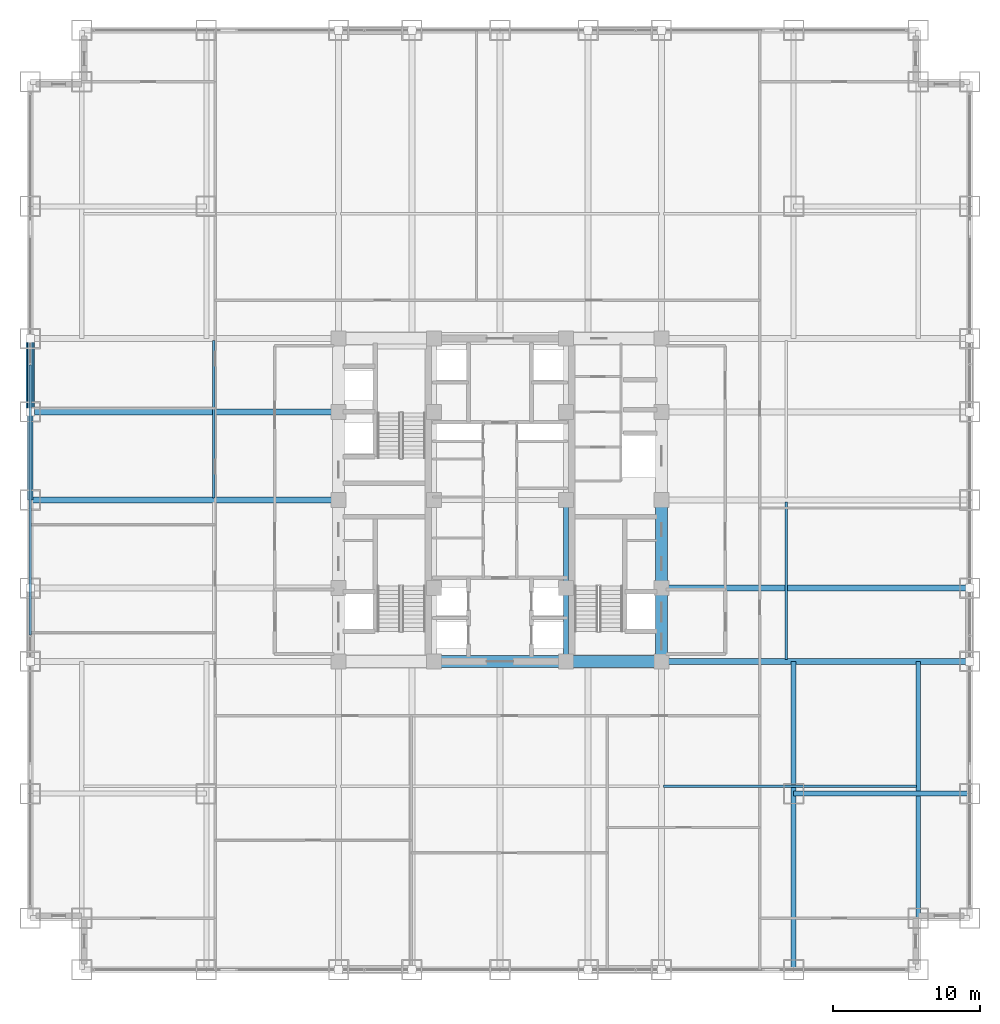
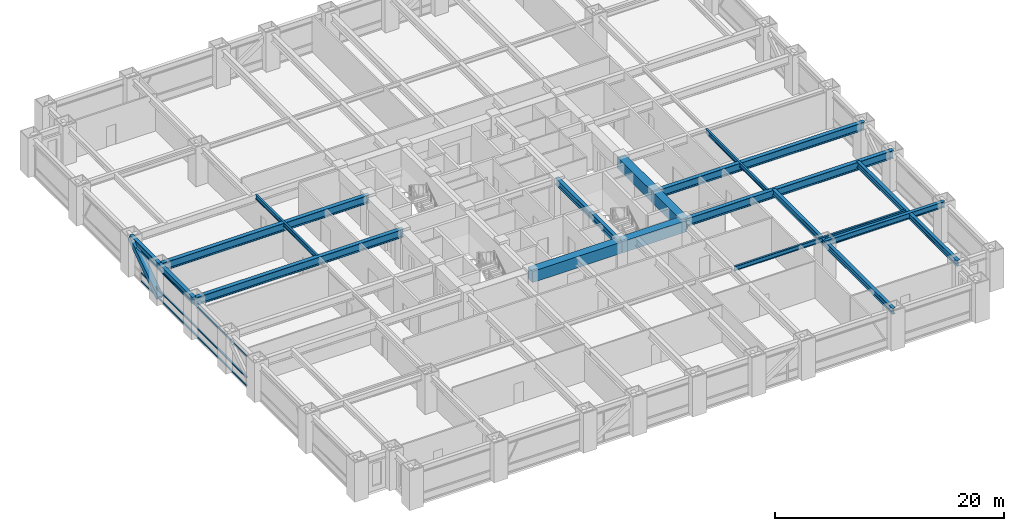
# One storey, part 11 of 28: 18 beams, 4 members, 1 element without a shape of its own.
"""IFC4 building model written with IfcOpenShell, lengths in metres."""

from ifc_helpers import new_model, si_unit, direction, frame, origin, origin_2d, place, context, subcontext, project, spatial, rectangle, hollow_rectangle, i_section, extrude, source, transform, mapped, material, material_profile, profile_set, type_object, element, aggregate, save


model = new_model("IFC4")

# Units and contexts
model_context = context("Model", 3, precision=1e-05, world=origin(), true_north=direction((0.0, 1.0)))
body_context = subcontext(model_context, "Body", "Model", "MODEL_VIEW")
ifc_project = project(units=[si_unit("LENGTHUNIT", "METRE"), si_unit("AREAUNIT", "SQUARE_METRE"), si_unit("VOLUMEUNIT", "CUBIC_METRE"), si_unit("PLANEANGLEUNIT", "RADIAN"), si_unit("MASSUNIT", "GRAM", prefix="KILO")], contexts=[model_context])

# Site, building, storey
site_placement = place(None, origin())
site = spatial("IfcSite", under=ifc_project, at=site_placement, CompositionType="ELEMENT")
building_placement = place(site_placement, origin())
building = spatial("IfcBuilding", under=site, at=building_placement, Name="Khorayat Bourse Tower", CompositionType="ELEMENT")
storey_placement = place(building_placement, frame((0.0, 0.0, 66.199951171875)))
storey = spatial("IfcBuildingStorey", under=building, at=storey_placement, Name="L14", CompositionType="ELEMENT", Elevation=66.199951171875)

# Beams
ifc_material_1 = material(Name="Concrete C72/90", Category="concrete")
ifc_material_profile_1 = material_profile(ifc_material_1, rectangle(XDim=0.800048828125, YDim=1.199951171875, at=origin_2d()), Name="RC 800x1200")
ifc_profile_set_1 = profile_set([ifc_material_profile_1], Name="Concrete C72/90")
beam_type_1 = type_object("IfcBeamType", Name="BM-COUP-1200", PredefinedType="BEAM", material=ifc_profile_set_1)
shared_shape_1 = source(origin(), body_context, "Body", "SweptSolid", [
    extrude(rectangle(XDim=0.800048828125, YDim=1.199951171875, at=origin_2d()), origin(), (0.0, 0.0, 1.0), 5.0),
])
beam_1_placement = place(storey_placement, frame((11.0, -11.0, 3.340087890625), z_axis=(0.0, 1.0, 0.0), x_axis=(-1.0, 0.0, 0.0)))
element("IfcBeam", 1, at=beam_1_placement, inside=storey, type_object=beam_type_1, Name="L14 BM-COUP-1200 BM-L14-CRX-13", PredefinedType="BEAM", context=body_context, shape_type="MappedRepresentation", body=[
    mapped(shared_shape_1, transform((0.0, 0.0, 0.0), scale=1.0)),
])
shared_shape_2 = source(origin(), body_context, "Body", "SweptSolid", [
    extrude(rectangle(XDim=0.800048828125, YDim=1.199951171875, at=origin_2d()), origin(), (0.0, 0.0, 1.0), 6.0),
])
beam_2_placement = place(storey_placement, frame((11.0, -6.0, 3.340087890625), z_axis=(0.0, 1.0, 0.0), x_axis=(-1.0, 0.0, 0.0)))
element("IfcBeam", 2, at=beam_2_placement, inside=storey, type_object=beam_type_1, Name="L14 BM-COUP-1200 BM-L14-CRX-14", PredefinedType="BEAM", context=body_context, shape_type="MappedRepresentation", body=[
    mapped(shared_shape_2, transform((0.0, 0.0, 0.0), scale=1.0)),
])
ifc_material_2 = material(Name="Steel ASTM A992 Grade 50", Category="steel")
ifc_material_profile_2 = material_profile(ifc_material_2, i_section(OverallWidth=0.35498046875, OverallDepth=0.695068359375, WebThickness=0.015380859375, FlangeThickness=0.02490234375, FilletRadius=0.01806640625, at=origin_2d()), Name="W690X217")
ifc_profile_set_2 = profile_set([ifc_material_profile_2], Name="Steel ASTM A992 Grade 50")
beam_type_2 = type_object("IfcBeamType", Name="BM-GIRD-690", PredefinedType="BEAM", material=ifc_profile_set_2)
shared_shape_3 = source(origin(), body_context, "Body", "SweptSolid", [
    extrude(i_section(OverallWidth=0.35498046875, OverallDepth=0.695068359375, WebThickness=0.015380859375, FlangeThickness=0.02490234375, FilletRadius=0.01806640625, at=origin_2d()), origin(), (0.0, 0.0, 1.0), 5.0),
])
beam_3_placement = place(storey_placement, frame((4.5, -11.0, 3.592529296875), z_axis=(0.0, 1.0, 0.0), x_axis=(-1.0, 0.0, 0.0)))
element("IfcBeam", 3, at=beam_3_placement, inside=storey, type_object=beam_type_2, Name="L14 BM-GIRD-690 BM-L14-CRX-09", PredefinedType="BEAM", context=body_context, shape_type="MappedRepresentation", body=[
    mapped(shared_shape_3, transform((0.0, 0.0, 0.0), scale=1.0)),
])
shared_shape_4 = source(origin(), body_context, "Body", "SweptSolid", [
    extrude(i_section(OverallWidth=0.35498046875, OverallDepth=0.695068359375, WebThickness=0.015380859375, FlangeThickness=0.02490234375, FilletRadius=0.01806640625, at=origin_2d()), origin(), (0.0, 0.0, 1.0), 6.0),
])
beam_4_placement = place(storey_placement, frame((4.5, -6.0, 3.592529296875), z_axis=(0.0, 1.0, 0.0), x_axis=(-1.0, 0.0, 0.0)))
element("IfcBeam", 4, at=beam_4_placement, inside=storey, type_object=beam_type_2, Name="L14 BM-GIRD-690 BM-L14-CRX-10", PredefinedType="BEAM", context=body_context, shape_type="MappedRepresentation", body=[
    mapped(shared_shape_4, transform((0.0, 0.0, 0.0), scale=1.0)),
])
shared_shape_5 = source(origin(), body_context, "Body", "SweptSolid", [
    extrude(rectangle(XDim=0.800048828125, YDim=1.199951171875, at=origin_2d()), origin(), (0.0, 0.0, 1.0), 6.5),
])
beam_5_placement = place(storey_placement, frame((4.5, -11.0, 3.340087890625), z_axis=(1.0, 0.0, 0.0), x_axis=(0.0, 1.0, 0.0)))
element("IfcBeam", 5, at=beam_5_placement, inside=storey, type_object=beam_type_1, Name="L14 BM-COUP-1200 BM-L14-CRY-19", PredefinedType="BEAM", context=body_context, shape_type="MappedRepresentation", body=[
    mapped(shared_shape_5, transform((0.0, 0.0, 0.0), scale=1.0)),
])
shared_shape_6 = source(origin(), body_context, "Body", "SweptSolid", [
    extrude(rectangle(XDim=0.800048828125, YDim=1.199951171875, at=origin_2d()), origin(), (0.0, 0.0, 1.0), 9.0),
])
beam_6_placement = place(storey_placement, frame((-4.5, -11.0, 3.340087890625), z_axis=(1.0, 0.0, 0.0), x_axis=(0.0, 1.0, 0.0)))
element("IfcBeam", 6, at=beam_6_placement, inside=storey, type_object=beam_type_1, Name="L14 BM-COUP-1200 BM-L14-CRY-18", PredefinedType="BEAM", context=body_context, shape_type="MappedRepresentation", body=[
    mapped(shared_shape_6, transform((0.0, 0.0, 0.0), scale=1.0)),
])
ifc_material_profile_3 = material_profile(ifc_material_2, i_section(OverallWidth=0.35498046875, OverallDepth=0.695068359375, WebThickness=0.015380859375, FlangeThickness=0.02490234375, FilletRadius=0.01806640625, at=origin_2d()), Name="W690X217")
ifc_profile_set_3 = profile_set([ifc_material_profile_3], Name="Steel ASTM A992 Grade 50")
beam_type_3 = type_object("IfcBeamType", Name="BM-SPAN-690", PredefinedType="SPANDREL", material=ifc_profile_set_3)
shared_shape_7 = source(origin(), body_context, "Body", "SweptSolid", [
    extrude(i_section(OverallWidth=0.35498046875, OverallDepth=0.695068359375, WebThickness=0.015380859375, FlangeThickness=0.02490234375, FilletRadius=0.01806640625, at=origin_2d()), origin(), (0.0, 0.0, 1.0), 5.0),
])
beam_7_placement = place(storey_placement, frame((-32.0, 6.0, 3.592529296875), z_axis=(0.0, 1.0, 0.0), x_axis=(-1.0, 0.0, 0.0)))
element("IfcBeam", 7, at=beam_7_placement, inside=storey, type_object=beam_type_3, Name="L14 BM-SPAN-690 BM-L14-SPN-056", PredefinedType="SPANDREL", context=body_context, shape_type="MappedRepresentation", body=[
    mapped(shared_shape_7, transform((0.0, 0.0, 0.0), scale=1.0)),
])
shared_shape_8 = source(origin(), body_context, "Body", "SweptSolid", [
    extrude(i_section(OverallWidth=0.35498046875, OverallDepth=0.695068359375, WebThickness=0.015380859375, FlangeThickness=0.02490234375, FilletRadius=0.01806640625, at=origin_2d()), origin(), (0.0, 0.0, 1.0), 6.0),
])
beam_8_placement = place(storey_placement, frame((-32.0, 0.0, 3.592529296875), z_axis=(0.0, 1.0, 0.0), x_axis=(-1.0, 0.0, 0.0)))
element("IfcBeam", 8, at=beam_8_placement, inside=storey, type_object=beam_type_3, Name="L14 BM-SPAN-690 BM-L14-SPN-057", PredefinedType="SPANDREL", context=body_context, shape_type="MappedRepresentation", body=[
    mapped(shared_shape_8, transform((0.0, 0.0, 0.0), scale=1.0)),
])
ifc_material_profile_4 = material_profile(ifc_material_2, i_section(OverallWidth=0.39990234375, OverallDepth=0.85498046875, WebThickness=0.018310546875, FlangeThickness=0.029296875, FilletRadius=0.02001953125, at=origin_2d()), Name="W840X299")
ifc_profile_set_4 = profile_set([ifc_material_profile_4], Name="Steel ASTM A992 Grade 50")
beam_type_4 = type_object("IfcBeamType", Name="BM-GIRD-840", PredefinedType="BEAM", material=ifc_profile_set_4)
shared_shape_9 = source(origin(), body_context, "Body", "SweptSolid", [
    extrude(i_section(OverallWidth=0.39990234375, OverallDepth=0.85498046875, WebThickness=0.018310546875, FlangeThickness=0.029296875, FilletRadius=0.02001953125, at=origin_2d()), origin(), (0.0, 0.0, 1.0), 21.0),
])
for number, where, z_axis, x_axis, name in (
    (9, (11.0, -11.0, 3.512451171875), (1.0, 0.0, 0.0), (0.0, 1.0, 0.0), "L14 BM-GIRD-840 BM-L14-RADX-074"),
    (10, (11.0, -6.0, 3.512451171875), (1.0, 0.0, 0.0), (0.0, 1.0, 0.0), "L14 BM-GIRD-840 BM-L14-RADX-076"),
    (11, (-32.0, 0.0, 3.512451171875), (1.0, 0.0, 0.0), (0.0, 1.0, 0.0), "L14 BM-GIRD-840 BM-L14-RADX-079"),
    (12, (-32.0, 6.0, 3.512451171875), (1.0, 0.0, 0.0), (0.0, 1.0, 0.0), "L14 BM-GIRD-840 BM-L14-RADX-081"),
):
    element("IfcBeam", number, at=place(storey_placement, frame(where, z_axis=z_axis, x_axis=x_axis)), inside=storey, type_object=beam_type_4, Name=name, PredefinedType="BEAM", context=body_context, shape_type="MappedRepresentation", body=[
        mapped(shared_shape_9, transform((0.0, 0.0, 0.0), scale=1.0)),
    ])
ifc_material_profile_5 = material_profile(ifc_material_2, i_section(OverallWidth=0.324951171875, OverallDepth=0.615966796875, WebThickness=0.013916015625, FlangeThickness=0.021484375, FilletRadius=0.01611328125, at=origin_2d()), Name="W610X174")
ifc_profile_set_5 = profile_set([ifc_material_profile_5], Name="Steel ASTM A992 Grade 50")
beam_type_5 = type_object("IfcBeamType", Name="BM-GIRD-610", PredefinedType="BEAM", material=ifc_profile_set_5)
shared_shape_10 = source(origin(), body_context, "Body", "SweptSolid", [
    extrude(i_section(OverallWidth=0.324951171875, OverallDepth=0.615966796875, WebThickness=0.013916015625, FlangeThickness=0.021484375, FilletRadius=0.01611328125, at=origin_2d()), origin(), (0.0, 0.0, 1.0), 21.0),
])
beam_9_placement = place(storey_placement, frame((20.0, -32.0, 3.632080078125), z_axis=(0.0, 1.0, 0.0), x_axis=(-1.0, 0.0, 0.0)))
element("IfcBeam", 13, at=beam_9_placement, inside=storey, type_object=beam_type_5, Name="L14 BM-GIRD-610 BM-L14-CNRY-086", PredefinedType="BEAM", context=body_context, shape_type="MappedRepresentation", body=[
    mapped(shared_shape_10, transform((0.0, 0.0, 0.0), scale=1.0)),
])
shared_shape_11 = source(origin(), body_context, "Body", "SweptSolid", [
    extrude(i_section(OverallWidth=0.324951171875, OverallDepth=0.615966796875, WebThickness=0.013916015625, FlangeThickness=0.021484375, FilletRadius=0.01611328125, at=origin_2d()), origin(), (0.0, 0.0, 1.0), 17.5),
])
beam_10_placement = place(storey_placement, frame((28.5, -28.5, 3.632080078125), z_axis=(0.0, 1.0, 0.0), x_axis=(-1.0, 0.0, 0.0)))
element("IfcBeam", 14, at=beam_10_placement, inside=storey, type_object=beam_type_5, Name="L14 BM-GIRD-610 BM-L14-CNRY-090", PredefinedType="BEAM", context=body_context, shape_type="MappedRepresentation", body=[
    mapped(shared_shape_11, transform((0.0, 0.0, 0.0), scale=1.0)),
])
shared_shape_12 = source(origin(), body_context, "Body", "SweptSolid", [
    extrude(i_section(OverallWidth=0.324951171875, OverallDepth=0.615966796875, WebThickness=0.013916015625, FlangeThickness=0.021484375, FilletRadius=0.01611328125, at=origin_2d()), origin(), (0.0, 0.0, 1.0), 12.0),
])
beam_11_placement = place(storey_placement, frame((20.0, -20.0, 3.632080078125), z_axis=(1.0, 0.0, 0.0), x_axis=(0.0, 1.0, 0.0)))
element("IfcBeam", 15, at=beam_11_placement, inside=storey, type_object=beam_type_5, Name="L14 BM-GIRD-610 BM-L14-CNRX-092", PredefinedType="BEAM", context=body_context, shape_type="MappedRepresentation", body=[
    mapped(shared_shape_12, transform((0.0, 0.0, 0.0), scale=1.0)),
])
ifc_material_profile_6 = material_profile(ifc_material_2, i_section(OverallWidth=0.194091796875, OverallDepth=0.468994140625, WebThickness=0.0126953125, FlangeThickness=0.0205078125, FilletRadius=0.012939453125, at=origin_2d()), Name="W460X106")
ifc_profile_set_6 = profile_set([ifc_material_profile_6], Name="Steel ASTM A992 Grade 50")
beam_type_6 = type_object("IfcBeamType", Name="BM-JOIST-460", PredefinedType="JOIST", material=ifc_profile_set_6)
shared_shape_13 = source(origin(), body_context, "Body", "SweptSolid", [
    extrude(i_section(OverallWidth=0.194091796875, OverallDepth=0.468994140625, WebThickness=0.0126953125, FlangeThickness=0.0205078125, FilletRadius=0.012939453125, at=origin_2d()), origin(), (0.0, 0.0, 1.0), 17.240234375),
])
beam_12_placement = place(storey_placement, frame((11.1298828125, -19.5, 3.70556640625), z_axis=(1.0, 0.0, 0.0), x_axis=(0.0, 1.0, 0.0)))
element("IfcBeam", 16, at=beam_12_placement, inside=storey, type_object=beam_type_6, Name="L14 BM-JOIST-460 BM-L14-JSTX-098", PredefinedType="JOIST", context=body_context, shape_type="MappedRepresentation", body=[
    mapped(shared_shape_13, transform((0.0, 0.0, 0.0), scale=1.0)),
])
shared_shape_14 = source(origin(), body_context, "Body", "SweptSolid", [
    extrude(i_section(OverallWidth=0.194091796875, OverallDepth=0.468994140625, WebThickness=0.0126953125, FlangeThickness=0.0205078125, FilletRadius=0.012939453125, at=origin_2d()), origin(), (0.0, 0.0, 1.0), 10.740234375),
])
for number, where, z_axis, x_axis, name in (
    (17, (-19.5, 0.1298828125, 3.70556640625), (0.0, 1.0, 0.0), (-1.0, 0.0, 0.0), "L14 BM-JOIST-460 BM-L14-JSTY-103"),
    (18, (19.5, -10.8701171875, 3.70556640625), (0.0, 1.0, 0.0), (-1.0, 0.0, 0.0), "L14 BM-JOIST-460 BM-L14-JSTY-104"),
):
    element("IfcBeam", number, at=place(storey_placement, frame(where, z_axis=z_axis, x_axis=x_axis)), inside=storey, type_object=beam_type_6, Name=name, PredefinedType="JOIST", context=body_context, shape_type="MappedRepresentation", body=[
        mapped(shared_shape_14, transform((0.0, 0.0, 0.0), scale=1.0)),
    ])

# Member
ifc_material_3 = material(Name="Steel EN 10025-4 S460M", Category="steel")
ifc_material_profile_7 = material_profile(ifc_material_3, hollow_rectangle(XDim=0.550048828125, YDim=0.550048828125, WallThickness=0.031982421875, at=origin_2d()), Name="HSS 550x550x32")
ifc_profile_set_7 = profile_set([ifc_material_profile_7], Name="Steel EN 10025-4 S460M")
member_type_1 = type_object("IfcMemberType", Name="MBR-TUBE-550", PredefinedType="BRACE", material=ifc_profile_set_7)
shared_shape_15 = source(origin(), body_context, "Body", "SweptSolid", [
    extrude(hollow_rectangle(XDim=0.550048828125, YDim=0.550048828125, WallThickness=0.031982421875, at=origin_2d()), origin(), (0.0, 0.0, 1.0), 6.069091796875),
])
member_1_placement = place(storey_placement, frame((-32.0, 6.0, 0.25), z_axis=(0.0, 0.823854080622, 0.566801952928), x_axis=(-1.0, 0.0, 0.0)))
element("IfcMember", 19, at=member_1_placement, inside=storey, type_object=member_type_1, Name="L14 Perimeter Tube Brace 06", PredefinedType="BRACE", context=body_context, shape_type="MappedRepresentation", body=[
    mapped(shared_shape_15, transform((0.0, 0.0, 0.0), scale=1.0)),
])

# Curtain wall, members
ifc_material_4 = material(Name="Aluminium EN AW-6063 T6", Category="aluminium")
curtain_wall_type = type_object("IfcCurtainWallType", Name="CW-SYS-02", PredefinedType="NOTDEFINED", material=ifc_material_4)
curtain_wall_placement = place(storey_placement, origin())
curtain_wall = element("IfcCurtainWall", 20, at=curtain_wall_placement, inside=storey, type_object=curtain_wall_type, Name="L14 Curtain Wall CW-L14-W1", PredefinedType="NOTDEFINED")
ifc_material_profile_8 = material_profile(ifc_material_4, hollow_rectangle(XDim=0.139892578125, YDim=0.139892578125, WallThickness=0.006103515625, at=origin_2d()), Name="ALU 140x140x6")
ifc_profile_set_8 = profile_set([ifc_material_profile_8], Name="Aluminium EN AW-6063 T6")
member_type_2 = type_object("IfcMemberType", Name="CWT-HORZ-140", PredefinedType="USERDEFINED", material=ifc_profile_set_8)
shared_shape_16 = source(origin(), body_context, "Body", "SweptSolid", [
    extrude(hollow_rectangle(XDim=0.139892578125, YDim=0.139892578125, WallThickness=0.006103515625, at=origin_2d()), origin(), (0.0, 0.0, 1.0), 18.35986328125),
])
member_2_placement = place(storey_placement, frame((-32.0, -9.179931640625, 0.070068359375), z_axis=(0.0, 1.0, 0.0), x_axis=(-1.0, 0.0, 0.0)))
member_2 = element("IfcMember", 21, at=member_2_placement, type_object=member_type_2, Name="CW-L14-W1 Horizontal Transom 2-1", ObjectType="TRANSOM", PredefinedType="USERDEFINED", context=body_context, shape_type="MappedRepresentation", body=[
    mapped(shared_shape_16, transform((0.0, 0.0, 0.0), scale=1.0)),
])
member_3_placement = place(storey_placement, frame((-32.0, -9.179931640625, 0.949951171875), z_axis=(0.0, 1.0, 0.0), x_axis=(-1.0, 0.0, 0.0)))
member_3 = element("IfcMember", 22, at=member_3_placement, type_object=member_type_2, Name="CW-L14-W1 Horizontal Transom 2-2", ObjectType="TRANSOM", PredefinedType="USERDEFINED", context=body_context, shape_type="MappedRepresentation", body=[
    mapped(shared_shape_16, transform((0.0, 0.0, 0.0), scale=1.0)),
])
member_4_placement = place(storey_placement, frame((-32.0, -9.179931640625, 3.219970703125), z_axis=(0.0, 1.0, 0.0), x_axis=(-1.0, 0.0, 0.0)))
member_4 = element("IfcMember", 23, at=member_4_placement, type_object=member_type_2, Name="CW-L14-W1 Horizontal Transom 2-3", ObjectType="TRANSOM", PredefinedType="USERDEFINED", context=body_context, shape_type="MappedRepresentation", body=[
    mapped(shared_shape_16, transform((0.0, 0.0, 0.0), scale=1.0)),
])
aggregate(curtain_wall, [member_2, member_3, member_4])

save(model, "model.ifc")
